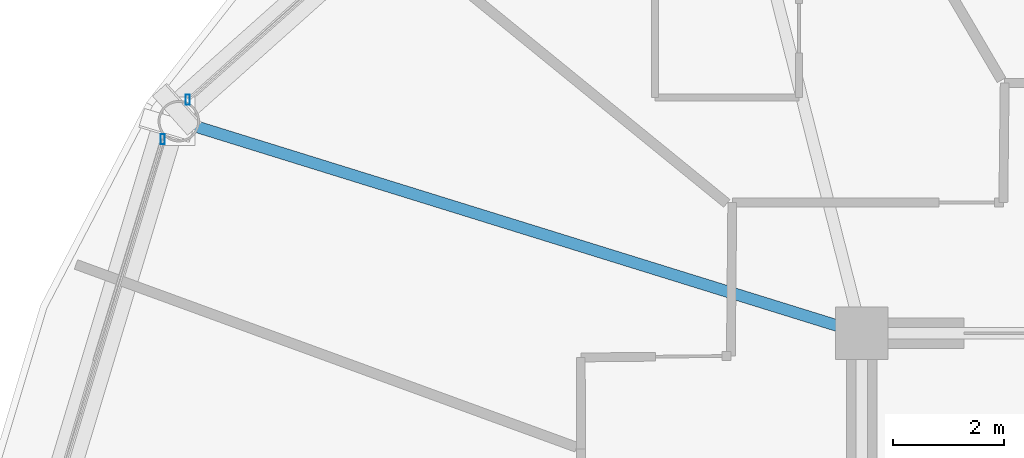
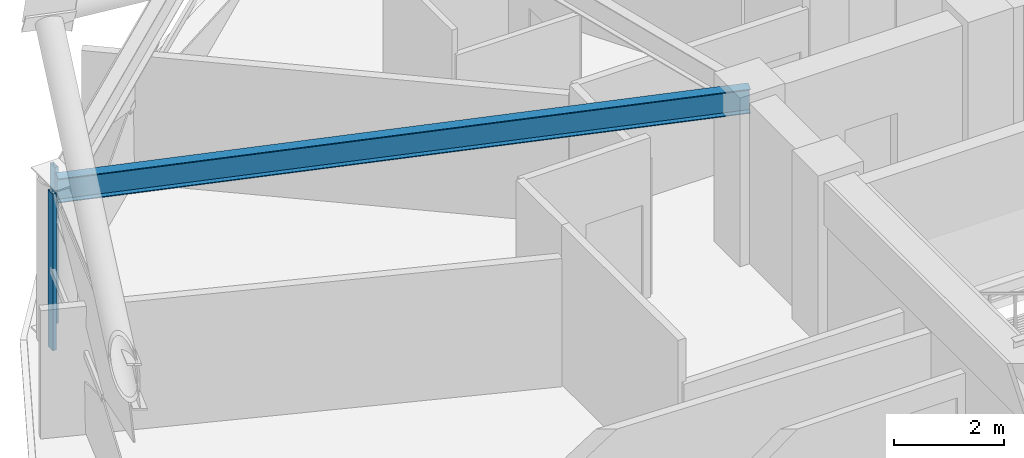
# One storey, part 13 of 30: 2 members, 1 beam, 2 elements without a shape of their own.
"""IFC4 building model written with IfcOpenShell, lengths in metres."""

import ifcopenshell
import ifcopenshell.guid

model = None  # the IFC model being written
_history = None  # IfcOwnerHistory: only IFC2X3 demands one
_inside = {}  # id of a spatial element -> (the spatial element, [elements in it])
_under = {}  # id of a project, library or spatial element -> (it, [spatial elements below it])
_declared = {}  # id of a project -> (the project, [libraries it declares])
_typed = {}  # id of a type object -> (the type object, [elements of that type])
_made_of = {}  # id of a material, layer set ... -> (it, [elements and type objects made of it])


def new_model(schema):
    """Start an empty IFC model of exactly this schema.

    Asked for "IFC4X3", IfcOpenShell would pick the latest addendum, in which some entities
    have other attributes; the version numbers below select the first issue.
    IFC2X3 requires an IfcOwnerHistory on every rooted entity: one is made here for all.
    """
    global model, _history
    if schema == "IFC4X3":
        model = ifcopenshell.file(schema_version=(4, 3, 0, 0))
    else:
        model = ifcopenshell.file(schema=schema)
    _inside.clear()
    _under.clear()
    _declared.clear()
    _typed.clear()
    _made_of.clear()
    _history = None
    if model.schema == "IFC2X3":
        org = make("IfcOrganization", Name="unknown")
        user = make(
            "IfcPersonAndOrganization",
            ThePerson=make("IfcPerson", FamilyName="unknown"),
            TheOrganization=org,
        )
        app = make(
            "IfcApplication",
            ApplicationDeveloper=org,
            Version="unknown",
            ApplicationFullName="unknown",
            ApplicationIdentifier="unknown",
        )
        _history = make(
            "IfcOwnerHistory",
            OwningUser=user,
            OwningApplication=app,
            ChangeAction="ADDED",
            CreationDate=0,
        )
    return model


def make(cls, **values):
    """One entity of the class cls with the attributes given. An attribute that is None is left unset."""
    return model.create_entity(
        cls, **{name: value for name, value in values.items() if value is not None}
    )


def rooted(cls, **values):
    """An entity with a GlobalId (a new one), such as an element, a storey or a relation."""
    return make(cls, GlobalId=ifcopenshell.guid.new(), OwnerHistory=_history, **values)


def si_unit(unit_type, name, prefix=None):
    """IfcSIUnit, for example si_unit("LENGTHUNIT", "METRE", prefix="MILLI")."""
    return make("IfcSIUnit", UnitType=unit_type, Prefix=prefix, Name=name)


def assignment(units):
    """IfcUnitAssignment: the units of a project."""
    return None if units is None else make("IfcUnitAssignment", Units=units)


def point(xyz):
    """IfcCartesianPoint."""
    return None if xyz is None else make("IfcCartesianPoint", Coordinates=xyz)


def direction(xyz):
    """IfcDirection."""
    return None if xyz is None else make("IfcDirection", DirectionRatios=xyz)


def frame(location, z_axis=None, x_axis=None):
    """IfcAxis2Placement3D, a coordinate frame: its origin and axes. An axis left out is left unset."""
    return make(
        "IfcAxis2Placement3D",
        Location=point(location),
        Axis=direction(z_axis),
        RefDirection=direction(x_axis),
    )


def frame_2d(location, x_axis=None):
    """IfcAxis2Placement2D, a coordinate frame in the plane: its origin and x axis."""
    return make(
        "IfcAxis2Placement2D", Location=point(location), RefDirection=direction(x_axis)
    )


def origin():
    """The frame at (0, 0, 0) with its axes left unset."""
    return frame((0.0, 0.0, 0.0))


def origin_2d():
    """The frame at (0, 0) in the plane with its x axis left unset."""
    return frame_2d((0.0, 0.0))


def place(relative_to, where):
    """IfcLocalPlacement: puts the frame where relative to a parent placement (None: the world)."""
    return make(
        "IfcLocalPlacement", PlacementRelTo=relative_to, RelativePlacement=where
    )


def context(
    kind, dimensions, precision=None, world=None, true_north=None, identifier=None
):
    """IfcGeometricRepresentationContext, for example the 3D "Model" context."""
    return make(
        "IfcGeometricRepresentationContext",
        ContextIdentifier=identifier,
        ContextType=kind,
        CoordinateSpaceDimension=dimensions,
        Precision=precision,
        WorldCoordinateSystem=world,
        TrueNorth=true_north,
    )


def subcontext(parent, identifier, kind, view, scale=None):
    """IfcGeometricRepresentationSubContext, for example "Body" below "Model"."""
    return make(
        "IfcGeometricRepresentationSubContext",
        ContextIdentifier=identifier,
        ContextType=kind,
        ParentContext=parent,
        TargetScale=scale,
        TargetView=view,
    )


def project(units=None, contexts=None):
    """IfcProject with its units and contexts."""
    return rooted(
        "IfcProject",
        Name="project",
        RepresentationContexts=contexts,
        UnitsInContext=assignment(units),
    )


def spatial(cls, under=None, at=None, **own):
    """A site, building, storey or space (cls), placed at a placement, below another one or the project."""
    s = rooted(cls, ObjectPlacement=at, **own)
    if under is not None:
        _under.setdefault(under.id(), (under, []))[1].append(s)
    return s


def profile(cls, at=None, kind="AREA", **sizes):
    """A parametric profile (cls). Its sizes go by their IFC names, for example OverallWidth=200.0."""
    return make(cls, ProfileType=kind, Position=at, **sizes)


def hollow_rectangle(**sizes):
    """IfcRectangleHollowProfileDef."""
    return profile("IfcRectangleHollowProfileDef", **sizes)


def i_section(**sizes):
    """IfcIShapeProfileDef."""
    return profile("IfcIShapeProfileDef", **sizes)


def extrude(swept, where, along, depth):
    """IfcExtrudedAreaSolid: the profile swept, set in the frame where, extruded along a direction by depth."""
    return make(
        "IfcExtrudedAreaSolid",
        SweptArea=swept,
        Position=where,
        ExtrudedDirection=direction(along),
        Depth=depth,
    )


def shape(context_of_items, identifier, shape_type, items):
    """IfcShapeRepresentation: the items that make up one representation, for example the "Body"."""
    return make(
        "IfcShapeRepresentation",
        ContextOfItems=context_of_items,
        RepresentationIdentifier=identifier,
        RepresentationType=shape_type,
        Items=items,
    )


def material(Name=None, Category=None):
    """IfcMaterial."""
    return make("IfcMaterial", Name=Name, Category=Category)


def layer(
    of_material, thickness, ventilated=None, Name=None, Category=None, Priority=None
):
    """IfcMaterialLayer: one layer of a wall or slab, of a material (None: an air gap)."""
    return make(
        "IfcMaterialLayer",
        Material=of_material,
        LayerThickness=thickness,
        IsVentilated=ventilated,
        Name=Name,
        Category=Category,
        Priority=Priority,
    )


def layer_set(layers, Name=None):
    """IfcMaterialLayerSet."""
    return make("IfcMaterialLayerSet", MaterialLayers=layers, LayerSetName=Name)


def material_profile(
    of_material, cross_section, Name=None, Category=None, Priority=None
):
    """IfcMaterialProfile: a cross section and its material."""
    return make(
        "IfcMaterialProfile",
        Name=Name,
        Material=of_material,
        Profile=cross_section,
        Priority=Priority,
        Category=Category,
    )


def profile_set(profiles, Name=None, composite=None):
    """IfcMaterialProfileSet."""
    return make(
        "IfcMaterialProfileSet",
        Name=Name,
        MaterialProfiles=profiles,
        CompositeProfile=composite,
    )


def made_of(thing, what):
    """Note that an element or type object is made of a material, layer set ...; save() writes the relation."""
    if what is not None:
        _made_of.setdefault(what.id(), (what, []))[1].append(thing)
    return thing


def type_object(cls, material=None, **own):
    """A type object (cls), such as IfcWallType, which elements share."""
    return made_of(rooted(cls, **own), material)


def element(
    cls,
    number,
    at=None,
    inside=None,
    cuts=None,
    type_object=None,
    material=None,
    context=None,
    identifier="Body",
    shape_type=None,
    held_by="IfcProductDefinitionShape",
    body=None,
    shapes=None,
    **own,
):
    """One element of the class cls, such as IfcWall. Its Tag is "e" and its number.

    at: its placement. inside: the storey or other place that contains it. cuts: it is an
    opening in that element (IfcRelVoidsElement). A single representation is given by context,
    identifier, shape_type and body (its items); several are given by shapes. held_by: the class
    of the entity that holds the representations. save() writes the other relations.
    """
    e = rooted(cls, Tag="e%d" % number, ObjectPlacement=at, **own)
    if body is not None:
        shapes = [shape(context, identifier, shape_type, body)]
    if shapes is not None:
        e.Representation = make(held_by, Representations=shapes)
    if inside is not None:
        _inside.setdefault(inside.id(), (inside, []))[1].append(e)
    if cuts is not None:
        rooted(
            "IfcRelVoidsElement", RelatingBuildingElement=cuts, RelatedOpeningElement=e
        )
    if type_object is not None:
        _typed.setdefault(type_object.id(), (type_object, []))[1].append(e)
    return made_of(e, material)


def aggregate(whole, parts):
    """IfcRelAggregates: a whole, such as a stair, and the parts it consists of."""
    return rooted("IfcRelAggregates", RelatingObject=whole, RelatedObjects=parts)


def save(model, path):
    """Write the relations noted so far, then the file.

    IfcRelAggregates (storeys below a building ...), IfcRelContainedInSpatialStructure (elements
    in a storey), IfcRelDefinesByType, IfcRelAssociatesMaterial and IfcRelDeclares: one each for
    every whole, place, type object, material and project.
    """
    for whole, parts in _under.values():
        aggregate(whole, parts)
    for where, things in _inside.values():
        rooted(
            "IfcRelContainedInSpatialStructure",
            RelatedElements=things,
            RelatingStructure=where,
        )
    for kind, things in _typed.values():
        rooted("IfcRelDefinesByType", RelatedObjects=things, RelatingType=kind)
    for what, things in _made_of.values():
        rooted("IfcRelAssociatesMaterial", RelatedObjects=things, RelatingMaterial=what)
    for by, libraries in _declared.values():
        rooted("IfcRelDeclares", RelatingContext=by, RelatedDefinitions=libraries)
    model.write(path)


model = new_model("IFC4")

# Units and contexts
model_context = context("Model", 3, precision=1e-05, world=origin(), true_north=direction((0.0, 1.0)))
body_context = subcontext(model_context, "Body", "Model", "MODEL_VIEW")
ifc_project = project(units=[si_unit("LENGTHUNIT", "METRE"), si_unit("AREAUNIT", "SQUARE_METRE"), si_unit("VOLUMEUNIT", "CUBIC_METRE"), si_unit("PLANEANGLEUNIT", "RADIAN"), si_unit("MASSUNIT", "GRAM", prefix="KILO")], contexts=[model_context])

# Site, building, storey
site_placement = place(None, origin())
site = spatial("IfcSite", under=ifc_project, at=site_placement, CompositionType="ELEMENT")
building_placement = place(site_placement, origin())
building = spatial("IfcBuilding", under=site, at=building_placement, Name="Vantalir Tower", CompositionType="ELEMENT")
storey_placement = place(building_placement, frame((0.0, 0.0, 119.699951171875)))
storey = spatial("IfcBuildingStorey", under=building, at=storey_placement, Name="L29", CompositionType="ELEMENT", Elevation=119.699951171875)

# Beam
ifc_material_1 = material(Name="Steel S355", Category="steel")
ifc_material_profile_1 = material_profile(ifc_material_1, i_section(OverallWidth=0.2109375, OverallDepth=0.5390625, WebThickness=0.01171875, FlangeThickness=0.018798828125, at=origin_2d()), Name="Steel S355")
ifc_profile_set_1 = profile_set([ifc_material_profile_1], Name="Steel S355")
beam_type = type_object("IfcBeamType", Name="BM-RB-533x210", PredefinedType="BEAM", material=ifc_profile_set_1)
beam_placement = place(storey_placement, frame((9.554931640625, 36.282958984375, 3.300048828125), z_axis=(0.955024490014, -0.296526935493, 0.0), x_axis=(0.296526935493, 0.955024490014, 0.0)))
element("IfcBeam", 1, at=beam_placement, inside=storey, type_object=beam_type, Name="L29 Radial Floor Beam 06", PredefinedType="BEAM", context=body_context, shape_type="SweptSolid", body=[
    extrude(i_section(OverallWidth=0.2109375, OverallDepth=0.5390625, WebThickness=0.01171875, FlangeThickness=0.018798828125, at=origin_2d()), origin(), (0.0, 0.0, 1.0), 12.92626953125),
])

# Curtain wall, member
ifc_material_2 = material(Name="Champagne-silver PVDF aluminium and double-silver Low-E glass", Category="aluminium")
ifc_layer = layer(ifc_material_2, 0.199951171875)
ifc_layer_set = layer_set([ifc_layer], Name="Champagne-silver PVDF aluminium and double-silver Low-E glass")
curtain_wall_type = type_object("IfcCurtainWallType", Name="CW-DIAMOND-Z2", PredefinedType="USERDEFINED", material=ifc_layer_set)
curtain_wall_1_placement = place(storey_placement, origin())
curtain_wall_1 = element("IfcCurtainWall", 2, at=curtain_wall_1_placement, inside=storey, type_object=curtain_wall_type, Name="L29 Quilted Pyramid-Diamond Curtain Wall S05", ObjectType="UNITISED CURTAIN WALL", PredefinedType="USERDEFINED")
ifc_material_3 = material(Name="Champagne-silver PVDF aluminium 6063-T6", Category="aluminium")
ifc_material_profile_2 = material_profile(ifc_material_3, hollow_rectangle(XDim=0.074951171875, YDim=0.179931640625, WallThickness=0.00390625, at=origin_2d()), Name="Champagne-silver PVDF aluminium 6063-T6")
ifc_profile_set_2 = profile_set([ifc_material_profile_2], Name="Champagne-silver PVDF aluminium 6063-T6")
member_type = type_object("IfcMemberType", Name="CWM-180x75", PredefinedType="MULLION", material=ifc_profile_set_2)
member_1_placement = place(storey_placement, frame((9.718017578125, 36.6708984375, 0.045166015625), z_axis=(0.0, 0.0, 1.0), x_axis=(1.0, 0.0, 0.0)))
member_1 = element("IfcMember", 3, at=member_1_placement, type_object=member_type, Name="CW-L29-S05 Mullion 2", PredefinedType="MULLION", context=body_context, shape_type="SweptSolid", body=[
    extrude(hollow_rectangle(XDim=0.074951171875, YDim=0.179931640625, WallThickness=0.00390625, at=origin_2d()), origin(), (0.0, 0.0, 1.0), 3.47998046875),
])
aggregate(curtain_wall_1, [member_1])

curtain_wall_2_placement = place(storey_placement, origin())
curtain_wall_2 = element("IfcCurtainWall", 4, at=curtain_wall_2_placement, inside=storey, type_object=curtain_wall_type, Name="L29 Quilted Pyramid-Diamond Curtain Wall S06", ObjectType="UNITISED CURTAIN WALL", PredefinedType="USERDEFINED")
member_2_placement = place(storey_placement, frame((9.262939453125, 35.95703125, 0.045166015625), z_axis=(0.0, 0.0, 1.0), x_axis=(1.0, 0.0, 0.0)))
member_2 = element("IfcMember", 5, at=member_2_placement, type_object=member_type, Name="CW-L29-S06 Mullion 1", PredefinedType="MULLION", context=body_context, shape_type="SweptSolid", body=[
    extrude(hollow_rectangle(XDim=0.074951171875, YDim=0.179931640625, WallThickness=0.00390625, at=origin_2d()), origin(), (0.0, 0.0, 1.0), 3.47998046875),
])
aggregate(curtain_wall_2, [member_2])

save(model, "model.ifc")
